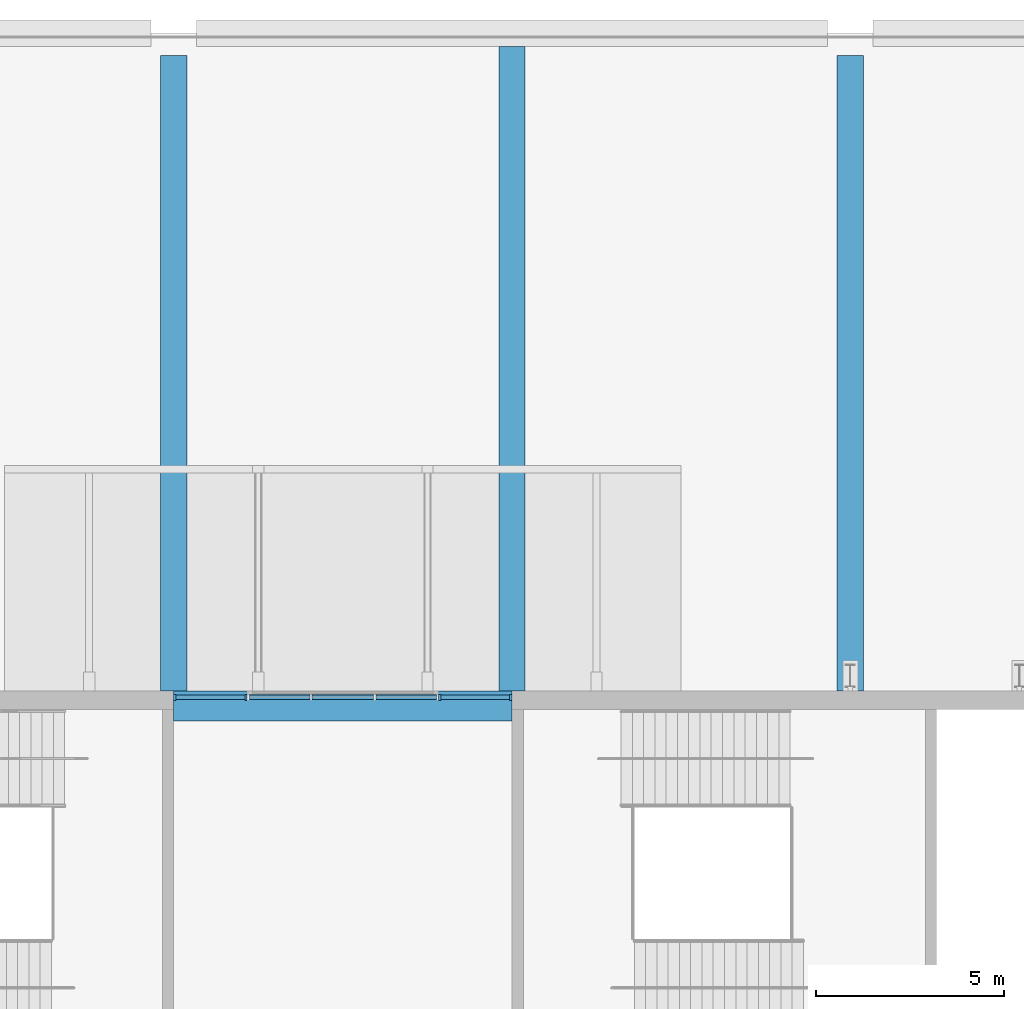
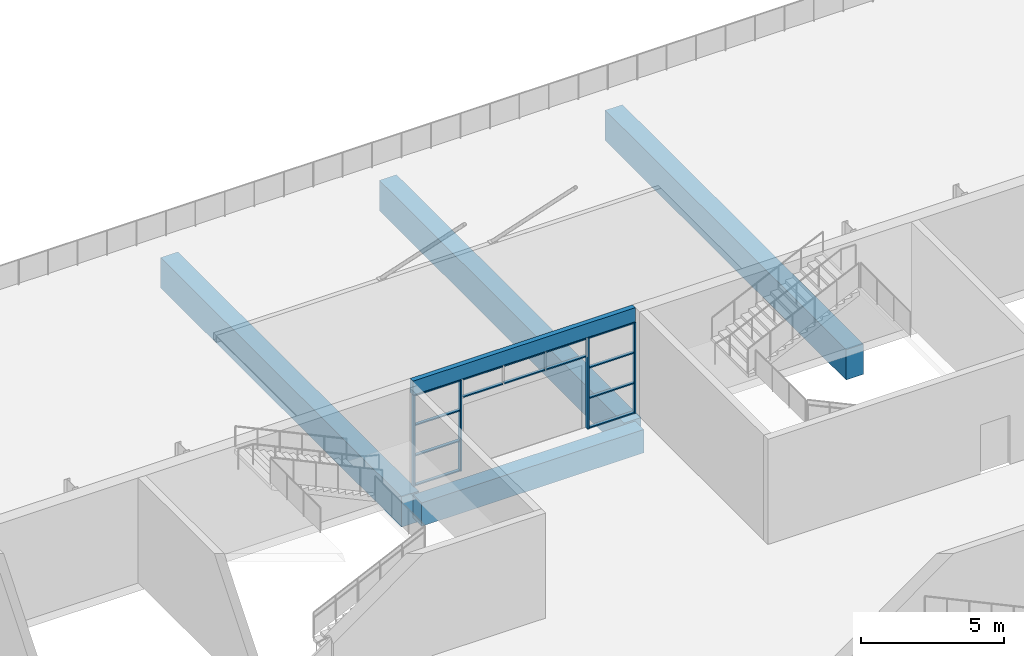
# One storey, part 56 of 168: 18 members, 5 beams, 3 elements without a shape of their own.
"""IFC4 building model written with IfcOpenShell, lengths in metres."""

from ifc_helpers import new_model, si_unit, direction, frame, origin, origin_2d, place, context, subcontext, project, spatial, rectangle, extrude, material, material_profile, profile_set, type_object, element, aggregate, save


model = new_model("IFC4")

# Units and contexts
model_context = context("Model", 3, precision=1e-05, world=origin(), true_north=direction((0.0, 1.0)))
body_context = subcontext(model_context, "Body", "Model", "MODEL_VIEW")
ifc_project = project(units=[si_unit("LENGTHUNIT", "METRE"), si_unit("AREAUNIT", "SQUARE_METRE"), si_unit("VOLUMEUNIT", "CUBIC_METRE"), si_unit("PLANEANGLEUNIT", "RADIAN"), si_unit("MASSUNIT", "GRAM", prefix="KILO")], contexts=[model_context])

# Site, building, storey
site_placement = place(None, origin())
site = spatial("IfcSite", under=ifc_project, at=site_placement, CompositionType="ELEMENT")
building_placement = place(site_placement, origin())
building = spatial("IfcBuilding", under=site, at=building_placement, Name="Silverbay Arena", CompositionType="ELEMENT")
storey_placement = place(building_placement, frame((0.0, 0.0, 7.0)))
storey = spatial("IfcBuildingStorey", under=building, at=storey_placement, Name="L01", CompositionType="ELEMENT", Elevation=7.0)

# Curtain wall, members
ifc_material_1 = material(Name="Aluminium framed curtain wall", Category="aluminium")
curtain_wall_type_1 = type_object("IfcCurtainWallType", Name="Curtain wall 1950 x 3900", PredefinedType="NOTDEFINED", material=ifc_material_1)
curtain_wall_1_placement = place(storey_placement, origin())
curtain_wall_1 = element("IfcCurtainWall", 1, at=curtain_wall_1_placement, inside=storey, type_object=curtain_wall_type_1, Name="North curtain wall L01 bay 6", PredefinedType="NOTDEFINED")
ifc_material_2 = material(Name="Aluminium", Category="aluminium")
ifc_material_profile_1 = material_profile(ifc_material_2, rectangle(XDim=0.159912109375, YDim=0.06005859375, at=origin_2d()), Name="Mullion 60 x 160")
ifc_profile_set_1 = profile_set([ifc_material_profile_1], Name="Aluminium")
member_type_1 = type_object("IfcMemberType", Name="Mullion 60 x 160", PredefinedType="MULLION", material=ifc_profile_set_1)
member_1_placement = place(storey_placement, frame((73.919921875, 144.330078125, 0.0), z_axis=(0.0, 0.0, 1.0), x_axis=(0.0, -1.0, 0.0)))
member_1 = element("IfcMember", 2, at=member_1_placement, type_object=member_type_1, Name="CW2 mullion 1", PredefinedType="MULLION", context=body_context, shape_type="SweptSolid", body=[
    extrude(rectangle(XDim=0.159912109375, YDim=0.06005859375, at=origin_2d()), origin(), (0.0, 0.0, 1.0), 3.89990234375),
])
member_2_placement = place(storey_placement, frame((72.030029296875, 144.330078125, 0.0), z_axis=(0.0, 0.0, 1.0), x_axis=(0.0, -1.0, 0.0)))
member_2 = element("IfcMember", 3, at=member_2_placement, type_object=member_type_1, Name="CW2 mullion 2", PredefinedType="MULLION", context=body_context, shape_type="SweptSolid", body=[
    extrude(rectangle(XDim=0.159912109375, YDim=0.06005859375, at=origin_2d()), origin(), (0.0, 0.0, 1.0), 3.89990234375),
])

curtain_wall_2_placement = place(storey_placement, origin())
curtain_wall_2 = element("IfcCurtainWall", 4, at=curtain_wall_2_placement, inside=storey, type_object=curtain_wall_type_1, Name="North curtain wall L01 bay 6", PredefinedType="NOTDEFINED")
member_3_placement = place(storey_placement, frame((80.969970703125, 144.330078125, 0.0), z_axis=(0.0, 0.0, 1.0), x_axis=(0.0, -1.0, 0.0)))
member_3 = element("IfcMember", 5, at=member_3_placement, type_object=member_type_1, Name="CW2 mullion 1", PredefinedType="MULLION", context=body_context, shape_type="SweptSolid", body=[
    extrude(rectangle(XDim=0.159912109375, YDim=0.06005859375, at=origin_2d()), origin(), (0.0, 0.0, 1.0), 3.89990234375),
])
member_4_placement = place(storey_placement, frame((79.080078125, 144.330078125, 0.0), z_axis=(0.0, 0.0, 1.0), x_axis=(0.0, -1.0, 0.0)))
member_4 = element("IfcMember", 6, at=member_4_placement, type_object=member_type_1, Name="CW2 mullion 2", PredefinedType="MULLION", context=body_context, shape_type="SweptSolid", body=[
    extrude(rectangle(XDim=0.159912109375, YDim=0.06005859375, at=origin_2d()), origin(), (0.0, 0.0, 1.0), 3.89990234375),
])

# Beams
ifc_material_3 = material(Name="Concrete Grade C45", Category="concrete")
ifc_material_profile_2 = material_profile(ifc_material_3, rectangle(XDim=0.60009765625, YDim=1.0, at=origin_2d()), Name="RC 600x1000")
ifc_profile_set_2 = profile_set([ifc_material_profile_2], Name="Concrete Grade C45")
beam_type_1 = type_object("IfcBeamType", Name="RC beam 600x1000", PredefinedType="BEAM", material=ifc_profile_set_2)
beam_1_placement = place(storey_placement, frame((72.0, 144.0, -0.85009765625), z_axis=(1.0, 0.0, 0.0), x_axis=(0.0, 1.0, 0.0)))
element("IfcBeam", 7, at=beam_1_placement, inside=storey, type_object=beam_type_1, Name="Floor beam L01 174", PredefinedType="BEAM", context=body_context, shape_type="SweptSolid", body=[
    extrude(rectangle(XDim=0.60009765625, YDim=1.0, at=origin_2d()), origin(), (0.0, 0.0, 1.0), 9.0),
])
ifc_material_4 = material(Name="Concrete Grade C45", Category="concrete")
ifc_material_profile_3 = material_profile(ifc_material_4, rectangle(XDim=0.199951171875, YDim=0.60009765625, at=origin_2d()), Name="RC 200x600")
ifc_profile_set_3 = profile_set([ifc_material_profile_3], Name="Concrete Grade C45")
beam_type_2 = type_object("IfcBeamType", Name="RC facade beam 200x600", PredefinedType="SPANDREL", material=ifc_profile_set_3)
beam_2_placement = place(storey_placement, frame((72.0, 144.39990234375, 4.199951171875), z_axis=(1.0, 0.0, 0.0), x_axis=(0.0, 1.0, 0.0)))
element("IfcBeam", 8, at=beam_2_placement, inside=storey, type_object=beam_type_2, Name="Facade beam L01 north", PredefinedType="SPANDREL", context=body_context, shape_type="SweptSolid", body=[
    extrude(rectangle(XDim=0.199951171875, YDim=0.60009765625, at=origin_2d()), origin(), (0.0, 0.0, 1.0), 9.0),
])
ifc_material_5 = material(Name="Concrete Grade C45", Category="concrete")
ifc_material_profile_4 = material_profile(ifc_material_5, rectangle(XDim=0.699951171875, YDim=1.300048828125, at=origin_2d()), Name="RC 700x1300")
ifc_profile_set_4 = profile_set([ifc_material_profile_4], Name="Concrete Grade C45")
beam_type_3 = type_object("IfcBeamType", Name="RC girder 700x1300", PredefinedType="BEAM", material=ifc_profile_set_4)
beam_3_placement = place(storey_placement, frame((72.0, 144.5, -1.10009765625), z_axis=(0.0, 1.0, 0.0), x_axis=(-1.0, 0.0, 0.0)))
element("IfcBeam", 9, at=beam_3_placement, inside=storey, type_object=beam_type_3, Name="Deck secondary beam 108", PredefinedType="BEAM", context=body_context, shape_type="SweptSolid", body=[
    extrude(rectangle(XDim=0.699951171875, YDim=1.300048828125, at=origin_2d()), origin(), (0.0, 0.0, 1.0), 16.89990234375),
])
beam_4_placement = place(storey_placement, frame((81.0, 144.5, -1.10009765625), z_axis=(0.0, 1.0, 0.0), x_axis=(-1.0, 0.0, 0.0)))
element("IfcBeam", 10, at=beam_4_placement, inside=storey, type_object=beam_type_3, Name="Deck secondary beam 110", PredefinedType="BEAM", context=body_context, shape_type="SweptSolid", body=[
    extrude(rectangle(XDim=0.699951171875, YDim=1.300048828125, at=origin_2d()), origin(), (0.0, 0.0, 1.0), 17.14990234375),
])
beam_5_placement = place(storey_placement, frame((90.0, 144.5, -1.10009765625), z_axis=(0.0, 1.0, 0.0), x_axis=(-1.0, 0.0, 0.0)))
element("IfcBeam", 11, at=beam_5_placement, inside=storey, type_object=beam_type_3, Name="Deck secondary beam 112", PredefinedType="BEAM", context=body_context, shape_type="SweptSolid", body=[
    extrude(rectangle(XDim=0.699951171875, YDim=1.300048828125, at=origin_2d()), origin(), (0.0, 0.0, 1.0), 16.89990234375),
])

# Member
ifc_material_6 = material(Name="Aluminium", Category="aluminium")
ifc_material_profile_5 = material_profile(ifc_material_6, rectangle(XDim=0.1201171875, YDim=0.050048828125, at=origin_2d()), Name="Transom 50 x 120")
ifc_profile_set_5 = profile_set([ifc_material_profile_5], Name="Aluminium")
member_type_2 = type_object("IfcMemberType", Name="Transom 50 x 120", PredefinedType="USERDEFINED", material=ifc_profile_set_5)
member_5_placement = place(storey_placement, frame((73.889892578125, 144.330078125, 0.02490234375), z_axis=(-1.0, 0.0, 0.0), x_axis=(0.0, -1.0, 0.0)))
member_5 = element("IfcMember", 12, at=member_5_placement, type_object=member_type_2, Name="CW2 transom 1.1", ObjectType="TRANSOM", PredefinedType="USERDEFINED", context=body_context, shape_type="SweptSolid", body=[
    extrude(rectangle(XDim=0.1201171875, YDim=0.050048828125, at=origin_2d()), origin(), (0.0, 0.0, 1.0), 1.829833984375),
])

member_6_placement = place(storey_placement, frame((73.889892578125, 144.330078125, 1.300048828125), z_axis=(-1.0, 0.0, 0.0), x_axis=(0.0, -1.0, 0.0)))
member_6 = element("IfcMember", 13, at=member_6_placement, type_object=member_type_2, Name="CW2 transom 1.2", ObjectType="TRANSOM", PredefinedType="USERDEFINED", context=body_context, shape_type="SweptSolid", body=[
    extrude(rectangle(XDim=0.1201171875, YDim=0.050048828125, at=origin_2d()), origin(), (0.0, 0.0, 1.0), 1.829833984375),
])

member_7_placement = place(storey_placement, frame((73.889892578125, 144.330078125, 2.60009765625), z_axis=(-1.0, 0.0, 0.0), x_axis=(0.0, -1.0, 0.0)))
member_7 = element("IfcMember", 14, at=member_7_placement, type_object=member_type_2, Name="CW2 transom 1.3", ObjectType="TRANSOM", PredefinedType="USERDEFINED", context=body_context, shape_type="SweptSolid", body=[
    extrude(rectangle(XDim=0.1201171875, YDim=0.050048828125, at=origin_2d()), origin(), (0.0, 0.0, 1.0), 1.829833984375),
])

member_8_placement = place(storey_placement, frame((73.889892578125, 144.330078125, 3.875), z_axis=(-1.0, 0.0, 0.0), x_axis=(0.0, -1.0, 0.0)))
member_8 = element("IfcMember", 15, at=member_8_placement, type_object=member_type_2, Name="CW2 transom 1.4", ObjectType="TRANSOM", PredefinedType="USERDEFINED", context=body_context, shape_type="SweptSolid", body=[
    extrude(rectangle(XDim=0.1201171875, YDim=0.050048828125, at=origin_2d()), origin(), (0.0, 0.0, 1.0), 1.829833984375),
])

aggregate(curtain_wall_1, [member_1, member_2, member_5, member_6, member_7, member_8])

member_9_placement = place(storey_placement, frame((80.93994140625, 144.330078125, 0.02490234375), z_axis=(-1.0, 0.0, 0.0), x_axis=(0.0, -1.0, 0.0)))
member_9 = element("IfcMember", 16, at=member_9_placement, type_object=member_type_2, Name="CW2 transom 1.1", ObjectType="TRANSOM", PredefinedType="USERDEFINED", context=body_context, shape_type="SweptSolid", body=[
    extrude(rectangle(XDim=0.1201171875, YDim=0.050048828125, at=origin_2d()), origin(), (0.0, 0.0, 1.0), 1.829833984375),
])

member_10_placement = place(storey_placement, frame((80.93994140625, 144.330078125, 1.300048828125), z_axis=(-1.0, 0.0, 0.0), x_axis=(0.0, -1.0, 0.0)))
member_10 = element("IfcMember", 17, at=member_10_placement, type_object=member_type_2, Name="CW2 transom 1.2", ObjectType="TRANSOM", PredefinedType="USERDEFINED", context=body_context, shape_type="SweptSolid", body=[
    extrude(rectangle(XDim=0.1201171875, YDim=0.050048828125, at=origin_2d()), origin(), (0.0, 0.0, 1.0), 1.829833984375),
])

member_11_placement = place(storey_placement, frame((80.93994140625, 144.330078125, 2.60009765625), z_axis=(-1.0, 0.0, 0.0), x_axis=(0.0, -1.0, 0.0)))
member_11 = element("IfcMember", 18, at=member_11_placement, type_object=member_type_2, Name="CW2 transom 1.3", ObjectType="TRANSOM", PredefinedType="USERDEFINED", context=body_context, shape_type="SweptSolid", body=[
    extrude(rectangle(XDim=0.1201171875, YDim=0.050048828125, at=origin_2d()), origin(), (0.0, 0.0, 1.0), 1.829833984375),
])

member_12_placement = place(storey_placement, frame((80.93994140625, 144.330078125, 3.875), z_axis=(-1.0, 0.0, 0.0), x_axis=(0.0, -1.0, 0.0)))
member_12 = element("IfcMember", 19, at=member_12_placement, type_object=member_type_2, Name="CW2 transom 1.4", ObjectType="TRANSOM", PredefinedType="USERDEFINED", context=body_context, shape_type="SweptSolid", body=[
    extrude(rectangle(XDim=0.1201171875, YDim=0.050048828125, at=origin_2d()), origin(), (0.0, 0.0, 1.0), 1.829833984375),
])

aggregate(curtain_wall_2, [member_3, member_4, member_9, member_10, member_11, member_12])

# Curtain wall, members
ifc_material_7 = material(Name="Aluminium framed curtain wall", Category="aluminium")
curtain_wall_type_2 = type_object("IfcCurtainWallType", Name="Curtain wall 5100 x 800", PredefinedType="NOTDEFINED", material=ifc_material_7)
curtain_wall_3_placement = place(storey_placement, origin())
curtain_wall_3 = element("IfcCurtainWall", 20, at=curtain_wall_3_placement, inside=storey, type_object=curtain_wall_type_2, Name="North curtain wall L01 bay 6", PredefinedType="NOTDEFINED")
member_13_placement = place(storey_placement, frame((78.989990234375, 144.330078125, 3.125), z_axis=(-1.0, 0.0, 0.0), x_axis=(0.0, -1.0, 0.0)))
member_13 = element("IfcMember", 21, at=member_13_placement, type_object=member_type_2, Name="CW3 transom 1.1", ObjectType="TRANSOM", PredefinedType="USERDEFINED", context=body_context, shape_type="SweptSolid", body=[
    extrude(rectangle(XDim=0.1201171875, YDim=0.050048828125, at=origin_2d()), origin(), (0.0, 0.0, 1.0), 1.610107421875),
])
member_14_placement = place(storey_placement, frame((78.989990234375, 144.330078125, 3.875), z_axis=(-1.0, 0.0, 0.0), x_axis=(0.0, -1.0, 0.0)))
member_14 = element("IfcMember", 22, at=member_14_placement, type_object=member_type_2, Name="CW3 transom 1.2", ObjectType="TRANSOM", PredefinedType="USERDEFINED", context=body_context, shape_type="SweptSolid", body=[
    extrude(rectangle(XDim=0.1201171875, YDim=0.050048828125, at=origin_2d()), origin(), (0.0, 0.0, 1.0), 1.610107421875),
])
member_15_placement = place(storey_placement, frame((77.320068359375, 144.330078125, 3.125), z_axis=(-1.0, 0.0, 0.0), x_axis=(0.0, -1.0, 0.0)))
member_15 = element("IfcMember", 23, at=member_15_placement, type_object=member_type_2, Name="CW3 transom 2.1", ObjectType="TRANSOM", PredefinedType="USERDEFINED", context=body_context, shape_type="SweptSolid", body=[
    extrude(rectangle(XDim=0.1201171875, YDim=0.050048828125, at=origin_2d()), origin(), (0.0, 0.0, 1.0), 1.64013671875),
])
member_16_placement = place(storey_placement, frame((77.320068359375, 144.330078125, 3.875), z_axis=(-1.0, 0.0, 0.0), x_axis=(0.0, -1.0, 0.0)))
member_16 = element("IfcMember", 24, at=member_16_placement, type_object=member_type_2, Name="CW3 transom 2.2", ObjectType="TRANSOM", PredefinedType="USERDEFINED", context=body_context, shape_type="SweptSolid", body=[
    extrude(rectangle(XDim=0.1201171875, YDim=0.050048828125, at=origin_2d()), origin(), (0.0, 0.0, 1.0), 1.64013671875),
])
member_17_placement = place(storey_placement, frame((75.6201171875, 144.330078125, 3.125), z_axis=(-1.0, 0.0, 0.0), x_axis=(0.0, -1.0, 0.0)))
member_17 = element("IfcMember", 25, at=member_17_placement, type_object=member_type_2, Name="CW3 transom 3.1", ObjectType="TRANSOM", PredefinedType="USERDEFINED", context=body_context, shape_type="SweptSolid", body=[
    extrude(rectangle(XDim=0.1201171875, YDim=0.050048828125, at=origin_2d()), origin(), (0.0, 0.0, 1.0), 1.610107421875),
])
member_18_placement = place(storey_placement, frame((75.6201171875, 144.330078125, 3.875), z_axis=(-1.0, 0.0, 0.0), x_axis=(0.0, -1.0, 0.0)))
member_18 = element("IfcMember", 26, at=member_18_placement, type_object=member_type_2, Name="CW3 transom 3.2", ObjectType="TRANSOM", PredefinedType="USERDEFINED", context=body_context, shape_type="SweptSolid", body=[
    extrude(rectangle(XDim=0.1201171875, YDim=0.050048828125, at=origin_2d()), origin(), (0.0, 0.0, 1.0), 1.610107421875),
])
aggregate(curtain_wall_3, [member_13, member_14, member_15, member_16, member_17, member_18])

save(model, "model.ifc")
